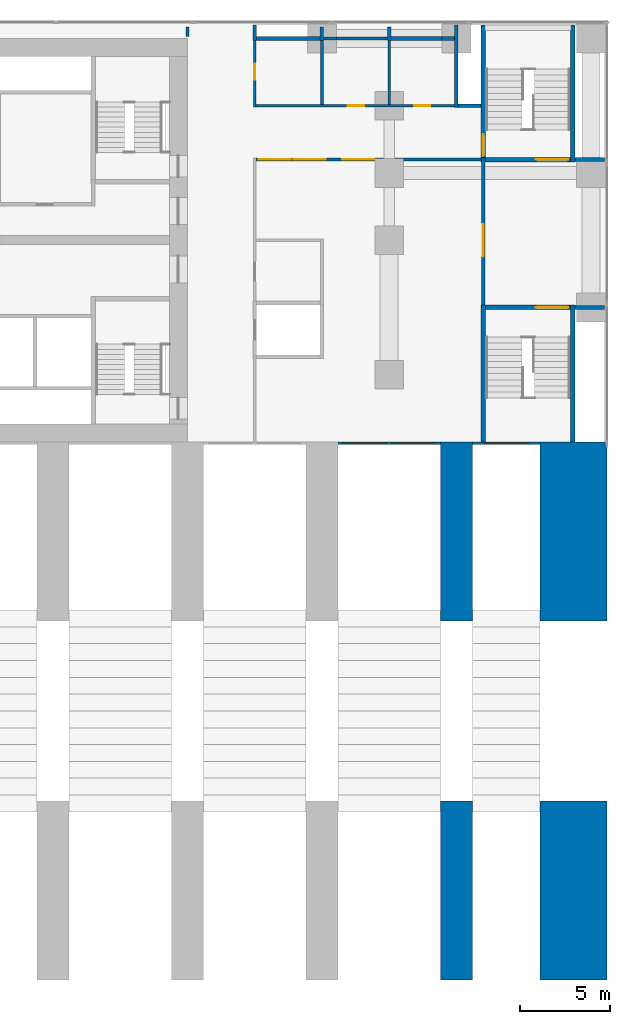
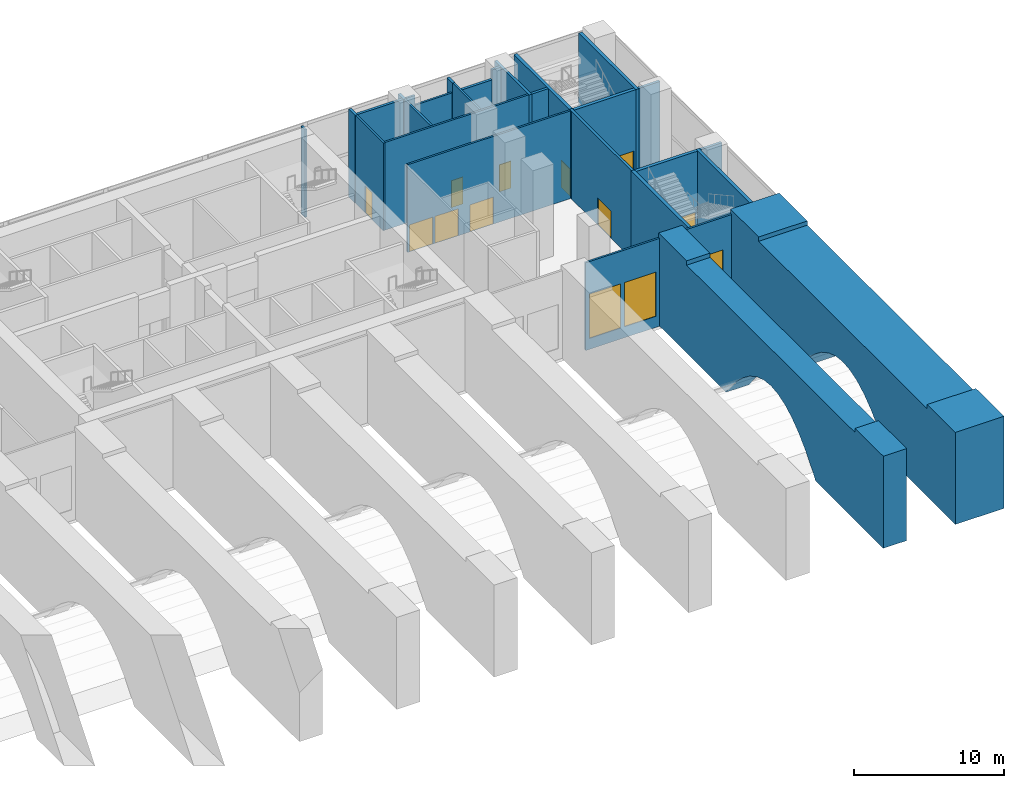
# One storey, part 8 of 15: 29 walls, 10 doors, 3 windows, 13 openings.
"""IFC4 building model written with IfcOpenShell, lengths in metres."""

import ifcopenshell
import ifcopenshell.guid

model = None  # the IFC model being written
_history = None  # IfcOwnerHistory: only IFC2X3 demands one
_inside = {}  # id of a spatial element -> (the spatial element, [elements in it])
_under = {}  # id of a project, library or spatial element -> (it, [spatial elements below it])
_declared = {}  # id of a project -> (the project, [libraries it declares])
_typed = {}  # id of a type object -> (the type object, [elements of that type])
_made_of = {}  # id of a material, layer set ... -> (it, [elements and type objects made of it])


def new_model(schema):
    """Start an empty IFC model of exactly this schema.

    Asked for "IFC4X3", IfcOpenShell would pick the latest addendum, in which some entities
    have other attributes; the version numbers below select the first issue.
    IFC2X3 requires an IfcOwnerHistory on every rooted entity: one is made here for all.
    """
    global model, _history
    if schema == "IFC4X3":
        model = ifcopenshell.file(schema_version=(4, 3, 0, 0))
    else:
        model = ifcopenshell.file(schema=schema)
    _inside.clear()
    _under.clear()
    _declared.clear()
    _typed.clear()
    _made_of.clear()
    _history = None
    if model.schema == "IFC2X3":
        org = make("IfcOrganization", Name="unknown")
        user = make(
            "IfcPersonAndOrganization",
            ThePerson=make("IfcPerson", FamilyName="unknown"),
            TheOrganization=org,
        )
        app = make(
            "IfcApplication",
            ApplicationDeveloper=org,
            Version="unknown",
            ApplicationFullName="unknown",
            ApplicationIdentifier="unknown",
        )
        _history = make(
            "IfcOwnerHistory",
            OwningUser=user,
            OwningApplication=app,
            ChangeAction="ADDED",
            CreationDate=0,
        )
    return model


def make(cls, **values):
    """One entity of the class cls with the attributes given. An attribute that is None is left unset."""
    return model.create_entity(
        cls, **{name: value for name, value in values.items() if value is not None}
    )


def rooted(cls, **values):
    """An entity with a GlobalId (a new one), such as an element, a storey or a relation."""
    return make(cls, GlobalId=ifcopenshell.guid.new(), OwnerHistory=_history, **values)


def si_unit(unit_type, name, prefix=None):
    """IfcSIUnit, for example si_unit("LENGTHUNIT", "METRE", prefix="MILLI")."""
    return make("IfcSIUnit", UnitType=unit_type, Prefix=prefix, Name=name)


def assignment(units):
    """IfcUnitAssignment: the units of a project."""
    return None if units is None else make("IfcUnitAssignment", Units=units)


def point(xyz):
    """IfcCartesianPoint."""
    return None if xyz is None else make("IfcCartesianPoint", Coordinates=xyz)


def direction(xyz):
    """IfcDirection."""
    return None if xyz is None else make("IfcDirection", DirectionRatios=xyz)


def frame(location, z_axis=None, x_axis=None):
    """IfcAxis2Placement3D, a coordinate frame: its origin and axes. An axis left out is left unset."""
    return make(
        "IfcAxis2Placement3D",
        Location=point(location),
        Axis=direction(z_axis),
        RefDirection=direction(x_axis),
    )


def frame_2d(location, x_axis=None):
    """IfcAxis2Placement2D, a coordinate frame in the plane: its origin and x axis."""
    return make(
        "IfcAxis2Placement2D", Location=point(location), RefDirection=direction(x_axis)
    )


def origin():
    """The frame at (0, 0, 0) with its axes left unset."""
    return frame((0.0, 0.0, 0.0))


def place(relative_to, where):
    """IfcLocalPlacement: puts the frame where relative to a parent placement (None: the world)."""
    return make(
        "IfcLocalPlacement", PlacementRelTo=relative_to, RelativePlacement=where
    )


def context(
    kind, dimensions, precision=None, world=None, true_north=None, identifier=None
):
    """IfcGeometricRepresentationContext, for example the 3D "Model" context."""
    return make(
        "IfcGeometricRepresentationContext",
        ContextIdentifier=identifier,
        ContextType=kind,
        CoordinateSpaceDimension=dimensions,
        Precision=precision,
        WorldCoordinateSystem=world,
        TrueNorth=true_north,
    )


def subcontext(parent, identifier, kind, view, scale=None):
    """IfcGeometricRepresentationSubContext, for example "Body" below "Model"."""
    return make(
        "IfcGeometricRepresentationSubContext",
        ContextIdentifier=identifier,
        ContextType=kind,
        ParentContext=parent,
        TargetScale=scale,
        TargetView=view,
    )


def project(units=None, contexts=None):
    """IfcProject with its units and contexts."""
    return rooted(
        "IfcProject",
        Name="project",
        RepresentationContexts=contexts,
        UnitsInContext=assignment(units),
    )


def spatial(cls, under=None, at=None, **own):
    """A site, building, storey or space (cls), placed at a placement, below another one or the project."""
    s = rooted(cls, ObjectPlacement=at, **own)
    if under is not None:
        _under.setdefault(under.id(), (under, []))[1].append(s)
    return s


def polyline(points):
    """IfcPolyline through the points."""
    return make("IfcPolyline", Points=[point(p) for p in points])


def profile(cls, at=None, kind="AREA", **sizes):
    """A parametric profile (cls). Its sizes go by their IFC names, for example OverallWidth=200.0."""
    return make(cls, ProfileType=kind, Position=at, **sizes)


def rectangle(**sizes):
    """IfcRectangleProfileDef."""
    return profile("IfcRectangleProfileDef", **sizes)


def outline(outer, holes=None, kind="AREA"):
    """IfcArbitraryClosedProfileDef: a profile drawn as a closed curve; with holes, ...WithVoids."""
    if holes is None:
        return make("IfcArbitraryClosedProfileDef", ProfileType=kind, OuterCurve=outer)
    return make(
        "IfcArbitraryProfileDefWithVoids",
        ProfileType=kind,
        OuterCurve=outer,
        InnerCurves=holes,
    )


def extrude(swept, where, along, depth):
    """IfcExtrudedAreaSolid: the profile swept, set in the frame where, extruded along a direction by depth."""
    return make(
        "IfcExtrudedAreaSolid",
        SweptArea=swept,
        Position=where,
        ExtrudedDirection=direction(along),
        Depth=depth,
    )


def shape(context_of_items, identifier, shape_type, items):
    """IfcShapeRepresentation: the items that make up one representation, for example the "Body"."""
    return make(
        "IfcShapeRepresentation",
        ContextOfItems=context_of_items,
        RepresentationIdentifier=identifier,
        RepresentationType=shape_type,
        Items=items,
    )


def material(Name=None, Category=None):
    """IfcMaterial."""
    return make("IfcMaterial", Name=Name, Category=Category)


def layer(
    of_material, thickness, ventilated=None, Name=None, Category=None, Priority=None
):
    """IfcMaterialLayer: one layer of a wall or slab, of a material (None: an air gap)."""
    return make(
        "IfcMaterialLayer",
        Material=of_material,
        LayerThickness=thickness,
        IsVentilated=ventilated,
        Name=Name,
        Category=Category,
        Priority=Priority,
    )


def layer_set(layers, Name=None):
    """IfcMaterialLayerSet."""
    return make("IfcMaterialLayerSet", MaterialLayers=layers, LayerSetName=Name)


def made_of(thing, what):
    """Note that an element or type object is made of a material, layer set ...; save() writes the relation."""
    if what is not None:
        _made_of.setdefault(what.id(), (what, []))[1].append(thing)
    return thing


def type_object(cls, material=None, **own):
    """A type object (cls), such as IfcWallType, which elements share."""
    return made_of(rooted(cls, **own), material)


def element(
    cls,
    number,
    at=None,
    inside=None,
    cuts=None,
    type_object=None,
    material=None,
    context=None,
    identifier="Body",
    shape_type=None,
    held_by="IfcProductDefinitionShape",
    body=None,
    shapes=None,
    **own,
):
    """One element of the class cls, such as IfcWall. Its Tag is "e" and its number.

    at: its placement. inside: the storey or other place that contains it. cuts: it is an
    opening in that element (IfcRelVoidsElement). A single representation is given by context,
    identifier, shape_type and body (its items); several are given by shapes. held_by: the class
    of the entity that holds the representations. save() writes the other relations.
    """
    e = rooted(cls, Tag="e%d" % number, ObjectPlacement=at, **own)
    if body is not None:
        shapes = [shape(context, identifier, shape_type, body)]
    if shapes is not None:
        e.Representation = make(held_by, Representations=shapes)
    if inside is not None:
        _inside.setdefault(inside.id(), (inside, []))[1].append(e)
    if cuts is not None:
        rooted(
            "IfcRelVoidsElement", RelatingBuildingElement=cuts, RelatedOpeningElement=e
        )
    if type_object is not None:
        _typed.setdefault(type_object.id(), (type_object, []))[1].append(e)
    return made_of(e, material)


def fill(opening, filler):
    """IfcRelFillsElement: the door or window that sits in an opening."""
    return rooted(
        "IfcRelFillsElement",
        RelatingOpeningElement=opening,
        RelatedBuildingElement=filler,
    )


def aggregate(whole, parts):
    """IfcRelAggregates: a whole, such as a stair, and the parts it consists of."""
    return rooted("IfcRelAggregates", RelatingObject=whole, RelatedObjects=parts)


def save(model, path):
    """Write the relations noted so far, then the file.

    IfcRelAggregates (storeys below a building ...), IfcRelContainedInSpatialStructure (elements
    in a storey), IfcRelDefinesByType, IfcRelAssociatesMaterial and IfcRelDeclares: one each for
    every whole, place, type object, material and project.
    """
    for whole, parts in _under.values():
        aggregate(whole, parts)
    for where, things in _inside.values():
        rooted(
            "IfcRelContainedInSpatialStructure",
            RelatedElements=things,
            RelatingStructure=where,
        )
    for kind, things in _typed.values():
        rooted("IfcRelDefinesByType", RelatedObjects=things, RelatingType=kind)
    for what, things in _made_of.values():
        rooted("IfcRelAssociatesMaterial", RelatedObjects=things, RelatingMaterial=what)
    for by, libraries in _declared.values():
        rooted("IfcRelDeclares", RelatingContext=by, RelatedDefinitions=libraries)
    model.write(path)


model = new_model("IFC4")

# Units and contexts
model_context = context("Model", 3, precision=1e-05, world=origin(), true_north=direction((0.0, 1.0)))
body_context = subcontext(model_context, "Body", "Model", "MODEL_VIEW")
ifc_project = project(units=[si_unit("LENGTHUNIT", "METRE"), si_unit("AREAUNIT", "SQUARE_METRE"), si_unit("VOLUMEUNIT", "CUBIC_METRE"), si_unit("PLANEANGLEUNIT", "RADIAN"), si_unit("MASSUNIT", "GRAM", prefix="KILO")], contexts=[model_context])

# Site, building, storey
site_placement = place(None, origin())
site = spatial("IfcSite", under=ifc_project, at=site_placement, CompositionType="ELEMENT")
building_placement = place(site_placement, origin())
building = spatial("IfcBuilding", under=site, at=building_placement, Name="Pilkhan Gate Tower", CompositionType="ELEMENT")
storey_placement = place(building_placement, frame((0.0, 0.0, 16.5)))
storey = spatial("IfcBuildingStorey", under=building, at=storey_placement, Name="L02", CompositionType="ELEMENT", Elevation=16.5)

# Walls
ifc_material_1 = material(Name="Concrete C70/85", Category="concrete")
ifc_layer_1 = layer(ifc_material_1, 1.800048828125)
ifc_layer_set_1 = layer_set([ifc_layer_1], Name="Arch wall AW1800 C70/85")
wall_type_1 = type_object("IfcWallType", Name="Arch wall AW1800 C70/85", PredefinedType="SHEAR", material=ifc_layer_set_1)
wall_1_placement = place(storey_placement, frame((105.89990234375, 62.220458984375, 0.0), z_axis=(1.0, 0.0, 0.0), x_axis=(0.0, 1.0, 0.0)))
element("IfcWall", 1, at=wall_1_placement, inside=storey, type_object=wall_type_1, Name="Arch wall +30.00 L02-1", PredefinedType="SHEAR", context=body_context, shape_type="SweptSolid", body=[
    extrude(outline(polyline([(0.0, 0.0), (9.029541015625, 0.0), (9.029541015625, 7.5), (5.279541015625, 7.5), (5.279541015625, 7.14990234375), (-17.220458984375, 7.14990234375), (-17.220458984375, 7.5), (-20.970458984375, 7.5), (-20.970458984375, 0.0), (-11.94091796875, 0.0), (-11.595458984375, 0.487548828125), (-10.657958984375, 1.606689453125), (-9.720458984375, 2.522216796875), (-8.782958984375, 3.234375), (-7.845458984375, 3.7431640625), (-6.907958984375, 4.04833984375), (-5.970458984375, 4.14990234375), (-5.032958984375, 4.04833984375), (-4.095458984375, 3.7431640625), (-3.157958984375, 3.234375), (-2.220458984375, 2.522216796875), (-1.282958984375, 1.606689453125), (-0.345458984375, 0.487548828125), (0.0, 0.0)])), origin(), (0.0, 0.0, -1.0), 1.800048828125),
])
ifc_layer_2 = layer(ifc_material_1, 3.75)
ifc_layer_set_2 = layer_set([ifc_layer_2], Name="Arch wall AW3750 C70/85")
wall_type_2 = type_object("IfcWallType", Name="Arch wall AW3750 C70/85", PredefinedType="SHEAR", material=ifc_layer_set_2)
wall_2_placement = place(storey_placement, frame((113.39990234375, 62.220458984375, 0.0), z_axis=(1.0, 0.0, 0.0), x_axis=(0.0, 1.0, 0.0)))
element("IfcWall", 2, at=wall_2_placement, inside=storey, type_object=wall_type_2, Name="Arch wall +37.50 L02-1", PredefinedType="SHEAR", context=body_context, shape_type="SweptSolid", body=[
    extrude(outline(polyline([(0.0, 0.0), (9.029541015625, 0.0), (9.029541015625, 7.5), (5.279541015625, 7.5), (5.279541015625, 7.14990234375), (-17.220458984375, 7.14990234375), (-17.220458984375, 7.5), (-20.970458984375, 7.5), (-20.970458984375, 0.0), (-11.94091796875, 0.0), (-11.595458984375, 0.487548828125), (-10.657958984375, 1.606689453125), (-9.720458984375, 2.522216796875), (-8.782958984375, 3.234375), (-7.845458984375, 3.7431640625), (-6.907958984375, 4.04833984375), (-5.970458984375, 4.14990234375), (-5.032958984375, 4.04833984375), (-4.095458984375, 3.7431640625), (-3.157958984375, 3.234375), (-2.220458984375, 2.522216796875), (-1.282958984375, 1.606689453125), (-0.345458984375, 0.487548828125), (0.0, 0.0)])), origin(), (0.0, 0.0, -1.0), 3.75),
])

# Wall, openings, windows
ifc_material_2 = material(Name="Pale anodised aluminium, clear laminated glazing", Category="aluminium")
ifc_layer_3 = layer(ifc_material_2, 0.14990234375)
ifc_layer_set_3 = layer_set([ifc_layer_3], Name="Facade infill wall IW150")
wall_type_3 = type_object("IfcWallType", Name="Facade infill wall IW150", PredefinedType="SOLIDWALL", material=ifc_layer_set_3)
wall_3_placement = place(storey_placement, frame((98.39990234375, 71.175048828125, 0.0), z_axis=(0.0, 0.0, 1.0), x_axis=(1.0, 0.0, 0.0)))
wall_3 = element("IfcWall", 3, at=wall_3_placement, inside=storey, type_object=wall_type_3, Name="Shopfront wall L02", PredefinedType="SOLIDWALL", context=body_context, shape_type="SweptSolid", body=[
    extrude(rectangle(XDim=5.7001953125, YDim=0.14990234375, at=frame_2d((2.85009765625, 0.0))), origin(), (0.0, 0.0, 1.0), 7.14990234375),
])
opening_1_placement = place(wall_3_placement, frame((0.300048828125, 0.0, 0.89990234375)))
opening_1 = element("IfcOpeningElement", 4, at=opening_1_placement, cuts=wall_3, Name="Opening WS2", PredefinedType="OPENING", context=body_context, shape_type="SweptSolid", body=[
    extrude(rectangle(XDim=2.39990234375, YDim=3.60009765625, at=frame_2d((1.199951171875, 1.800048828125))), frame((0.0, 0.0849609375, 0.0), z_axis=(0.0, -1.0, 0.0), x_axis=(1.0, 0.0, 0.0)), (0.0, 0.0, 1.0), 0.169921875),
])
opening_2_placement = place(wall_3_placement, frame((3.0, 0.0, 0.89990234375)))
opening_2 = element("IfcOpeningElement", 5, at=opening_2_placement, cuts=wall_3, Name="Opening WS2", PredefinedType="OPENING", context=body_context, shape_type="SweptSolid", body=[
    extrude(rectangle(XDim=2.39990234375, YDim=3.60009765625, at=frame_2d((1.199951171875, 1.800048828125))), frame((0.0, 0.0849609375, 0.0), z_axis=(0.0, -1.0, 0.0), x_axis=(1.0, 0.0, 0.0)), (0.0, 0.0, 1.0), 0.169921875),
])
window_type = type_object("IfcWindowType", Name="Shopfront window WS2 2400x3600", PartitioningType="SINGLE_PANEL", PredefinedType="WINDOW", material=ifc_material_2)
window_1_placement = place(opening_1_placement, origin())
window_1 = element("IfcWindow", 6, at=window_1_placement, inside=storey, type_object=window_type, Name="Shopfront window L02", OverallHeight=3.60009765625, OverallWidth=2.39990234375, PartitioningType="SINGLE_PANEL", PredefinedType="WINDOW", context=body_context, shape_type="SweptSolid", body=[
    extrude(rectangle(XDim=2.39990234375, YDim=3.60009765625, at=frame_2d((1.199951171875, 1.800048828125))), frame((0.0, 0.030029296875, 0.0), z_axis=(0.0, -1.0, 0.0), x_axis=(1.0, 0.0, 0.0)), (0.0, 0.0, 1.0), 0.06005859375),
])
fill(opening_1, window_1)
window_2_placement = place(opening_2_placement, origin())
window_2 = element("IfcWindow", 7, at=window_2_placement, inside=storey, type_object=window_type, Name="Shopfront window L02", OverallHeight=3.60009765625, OverallWidth=2.39990234375, PartitioningType="SINGLE_PANEL", PredefinedType="WINDOW", context=body_context, shape_type="SweptSolid", body=[
    extrude(rectangle(XDim=2.39990234375, YDim=3.60009765625, at=frame_2d((1.199951171875, 1.800048828125))), frame((0.0, 0.030029296875, 0.0), z_axis=(0.0, -1.0, 0.0), x_axis=(1.0, 0.0, 0.0)), (0.0, 0.0, 1.0), 0.06005859375),
])
fill(opening_2, window_2)

# Wall, opening, window
wall_4_placement = place(storey_placement, frame((105.89990234375, 71.175048828125, 0.0), z_axis=(0.0, 0.0, 1.0), x_axis=(1.0, 0.0, 0.0)))
wall_4 = element("IfcWall", 8, at=wall_4_placement, inside=storey, type_object=wall_type_3, Name="Shopfront wall L02", PredefinedType="SOLIDWALL", context=body_context, shape_type="SweptSolid", body=[
    extrude(rectangle(XDim=3.75, YDim=0.14990234375, at=frame_2d((1.875, 0.0))), origin(), (0.0, 0.0, 1.0), 7.14990234375),
])
opening_3_placement = place(wall_4_placement, frame((0.675048828125, 0.0, 0.89990234375)))
opening_3 = element("IfcOpeningElement", 9, at=opening_3_placement, cuts=wall_4, Name="Opening WS2", PredefinedType="OPENING", context=body_context, shape_type="SweptSolid", body=[
    extrude(rectangle(XDim=2.39990234375, YDim=3.60009765625, at=frame_2d((1.199951171875, 1.800048828125))), frame((0.0, 0.0849609375, 0.0), z_axis=(0.0, -1.0, 0.0), x_axis=(1.0, 0.0, 0.0)), (0.0, 0.0, 1.0), 0.169921875),
])
window_3_placement = place(opening_3_placement, origin())
window_3 = element("IfcWindow", 10, at=window_3_placement, inside=storey, type_object=window_type, Name="Shopfront window L02", OverallHeight=3.60009765625, OverallWidth=2.39990234375, PartitioningType="SINGLE_PANEL", PredefinedType="WINDOW", context=body_context, shape_type="SweptSolid", body=[
    extrude(rectangle(XDim=2.39990234375, YDim=3.60009765625, at=frame_2d((1.199951171875, 1.800048828125))), frame((0.0, 0.030029296875, 0.0), z_axis=(0.0, -1.0, 0.0), x_axis=(1.0, 0.0, 0.0)), (0.0, 0.0, 1.0), 0.06005859375),
])
fill(opening_3, window_3)

# Walls
ifc_material_3 = material(Name="Dense blockwork", Category="masonry")
ifc_layer_4 = layer(ifc_material_3, 0.199951171875)
ifc_layer_set_4 = layer_set([ifc_layer_4], Name="Lobby wall LW200")
wall_type_4 = type_object("IfcWallType", Name="Lobby wall LW200", PredefinedType="PARTITIONING", material=ifc_layer_set_4)
for number, where, z_axis, x_axis, name in (
    (11, (111.625, 78.75, 0.0), (0.0, 0.0, 1.0), (1.0, 0.0, 0.0), "Partition L02"),
    (12, (111.625, 87.0, 0.0), (0.0, 0.0, 1.0), (1.0, 0.0, 0.0), "Partition L02"),
):
    element("IfcWall", number, at=place(storey_placement, frame(where, z_axis=z_axis, x_axis=x_axis)), inside=storey, type_object=wall_type_4, Name=name, PredefinedType="PARTITIONING", context=body_context, shape_type="SweptSolid", body=[
        extrude(rectangle(XDim=1.639892578125, YDim=0.199951171875, at=frame_2d((0.81982421875, 0.0))), origin(), (0.0, 0.0, 1.0), 7.14990234375),
    ])
wall_5_placement = place(storey_placement, frame((105.10009765625, 90.0, 0.0), z_axis=(0.0, 0.0, 1.0), x_axis=(1.0, 0.0, 0.0)))
element("IfcWall", 13, at=wall_5_placement, inside=storey, type_object=wall_type_4, Name="Partition L02", PredefinedType="PARTITIONING", context=body_context, shape_type="SweptSolid", body=[
    extrude(rectangle(XDim=1.27490234375, YDim=0.199951171875, at=frame_2d((0.637451171875, 0.0))), origin(), (0.0, 0.0, 1.0), 7.14990234375),
])
wall_6_placement = place(storey_placement, frame((93.85009765625, 93.75, 0.0), z_axis=(0.0, 0.0, 1.0), x_axis=(1.0, 0.0, 0.0)))
element("IfcWall", 14, at=wall_6_placement, inside=storey, type_object=wall_type_4, Name="Partition L02", PredefinedType="PARTITIONING", context=body_context, shape_type="SweptSolid", body=[
    extrude(rectangle(XDim=3.5498046875, YDim=0.199951171875, at=frame_2d((1.77490234375, 0.0))), origin(), (0.0, 0.0, 1.0), 7.14990234375),
])
wall_7_placement = place(storey_placement, frame((101.35009765625, 93.75, 0.0), z_axis=(0.0, 0.0, 1.0), x_axis=(1.0, 0.0, 0.0)))
element("IfcWall", 15, at=wall_7_placement, inside=storey, type_object=wall_type_4, Name="Partition L02", PredefinedType="PARTITIONING", context=body_context, shape_type="SweptSolid", body=[
    extrude(rectangle(XDim=2.850830078125, YDim=0.199951171875, at=frame_2d((1.42529296875, 0.0))), origin(), (0.0, 0.0, 1.0), 6.35009765625),
])
wall_8_placement = place(storey_placement, frame((104.200927734375, 93.75, 0.0), z_axis=(0.0, 0.0, 1.0), x_axis=(1.0, 0.0, 0.0)))
element("IfcWall", 16, at=wall_8_placement, inside=storey, type_object=wall_type_4, Name="Partition L02", PredefinedType="PARTITIONING", context=body_context, shape_type="SweptSolid", body=[
    extrude(rectangle(XDim=0.698974609375, YDim=0.199951171875, at=frame_2d((0.349609375, 0.0))), origin(), (0.0, 0.0, 1.0), 7.14990234375),
])
wall_9_placement = place(storey_placement, frame((93.75, 93.64990234375, 0.0), z_axis=(0.0, 0.0, 1.0), x_axis=(0.0, 1.0, 0.0)))
element("IfcWall", 17, at=wall_9_placement, inside=storey, type_object=wall_type_4, Name="Partition L02", PredefinedType="PARTITIONING", context=body_context, shape_type="SweptSolid", body=[
    extrude(rectangle(XDim=0.864990234375, YDim=0.199951171875, at=frame_2d((0.4326171875, 0.0))), origin(), (0.0, 0.0, 1.0), 7.14990234375),
])
for number, where, z_axis, x_axis, name in (
    (18, (97.5, 93.64990234375, 0.0), (0.0, 0.0, 1.0), (0.0, 1.0, 0.0), "Partition L02"),
    (19, (101.25, 93.64990234375, 0.0), (0.0, 0.0, 1.0), (0.0, 1.0, 0.0), "Partition L02"),
):
    element("IfcWall", number, at=place(storey_placement, frame(where, z_axis=z_axis, x_axis=x_axis)), inside=storey, type_object=wall_type_4, Name=name, PredefinedType="PARTITIONING", context=body_context, shape_type="SweptSolid", body=[
        extrude(rectangle(XDim=0.7451171875, YDim=0.199951171875, at=frame_2d((0.37255859375, 0.0))), origin(), (0.0, 0.0, 1.0), 7.14990234375),
    ])
wall_10_placement = place(storey_placement, frame((105.0, 89.89990234375, 0.0), z_axis=(0.0, 0.0, 1.0), x_axis=(0.0, 1.0, 0.0)))
element("IfcWall", 20, at=wall_10_placement, inside=storey, type_object=wall_type_4, Name="Partition L02", PredefinedType="PARTITIONING", context=body_context, shape_type="SweptSolid", body=[
    extrude(rectangle(XDim=4.614990234375, YDim=0.199951171875, at=frame_2d((2.3076171875, 0.0))), origin(), (0.0, 0.0, 1.0), 7.14990234375),
])

# Wall, opening, door
wall_11_placement = place(storey_placement, frame((106.5, 78.625, 0.0), z_axis=(0.0, 0.0, 1.0), x_axis=(0.0, 1.0, 0.0)))
wall_11 = element("IfcWall", 21, at=wall_11_placement, inside=storey, type_object=wall_type_4, Name="Partition L02", PredefinedType="PARTITIONING", context=body_context, shape_type="SweptSolid", body=[
    extrude(rectangle(XDim=8.5, YDim=0.199951171875, at=frame_2d((4.25, 0.0))), origin(), (0.0, 0.0, 1.0), 7.14990234375),
])
opening_4_placement = place(wall_11_placement, frame((2.97509765625, 0.0, 0.0)))
opening_4 = element("IfcOpeningElement", 22, at=opening_4_placement, cuts=wall_11, Name="Opening L02-17", PredefinedType="OPENING", context=body_context, shape_type="SweptSolid", body=[
    extrude(rectangle(XDim=1.800048828125, YDim=2.199951171875, at=frame_2d((0.89990234375, 1.10009765625))), frame((0.0, 0.10986328125, 0.0), z_axis=(0.0, -1.0, 0.0), x_axis=(1.0, 0.0, 0.0)), (0.0, 0.0, 1.0), 0.219970703125),
])
ifc_material_4 = material(Name="Timber glazed double door, 30 minute fire resisting", Category="wood")
door_type_1 = type_object("IfcDoorType", Name="Double door D04 1800x2200", OperationType="DOUBLE_DOOR_SINGLE_SWING", PredefinedType="DOOR", material=ifc_material_4)
door_1_placement = place(opening_4_placement, origin())
door_1 = element("IfcDoor", 23, at=door_1_placement, inside=storey, type_object=door_type_1, Name="Hall door", OperationType="DOUBLE_DOOR_SINGLE_SWING", OverallHeight=2.199951171875, OverallWidth=1.800048828125, PredefinedType="DOOR", context=body_context, shape_type="SweptSolid", body=[
    extrude(rectangle(XDim=1.800048828125, YDim=2.199951171875, at=frame_2d((0.89990234375, 1.10009765625))), frame((0.0, 0.02490234375, 0.0), z_axis=(0.0, -1.0, 0.0), x_axis=(1.0, 0.0, 0.0)), (0.0, 0.0, 1.0), 0.050048828125),
])
fill(opening_4, door_1)

# Wall, openings, doors
ifc_material_5 = material(Name="Blockwork partition, plastered both sides", Category="masonry")
ifc_layer_5 = layer(ifc_material_5, 0.14990234375)
ifc_layer_set_5 = layer_set([ifc_layer_5], Name="Partition PW150")
wall_type_5 = type_object("IfcWallType", Name="Partition PW150", PredefinedType="PARTITIONING", material=ifc_layer_set_5)
wall_12_placement = place(storey_placement, frame((93.824951171875, 87.0, 0.0), z_axis=(0.0, 0.0, 1.0), x_axis=(1.0, 0.0, 0.0)))
wall_12 = element("IfcWall", 24, at=wall_12_placement, inside=storey, type_object=wall_type_5, Name="Partition L02", PredefinedType="PARTITIONING", context=body_context, shape_type="SweptSolid", body=[
    extrude(rectangle(XDim=12.550048828125, YDim=0.14990234375, at=frame_2d((6.27490234375, 0.0))), origin(), (0.0, 0.0, 1.0), 7.14990234375),
])
opening_5_placement = place(wall_12_placement, frame((0.14990234375, 0.0, 0.0)))
opening_5 = element("IfcOpeningElement", 25, at=opening_5_placement, cuts=wall_12, Name="Opening L02-13", PredefinedType="OPENING", context=body_context, shape_type="SweptSolid", body=[
    extrude(rectangle(XDim=1.800048828125, YDim=2.199951171875, at=frame_2d((0.89990234375, 1.10009765625))), frame((0.0, 0.0849609375, 0.0), z_axis=(0.0, -1.0, 0.0), x_axis=(1.0, 0.0, 0.0)), (0.0, 0.0, 1.0), 0.169921875),
])
opening_6_placement = place(wall_12_placement, frame((2.10009765625, 0.0, 0.0)))
opening_6 = element("IfcOpeningElement", 26, at=opening_6_placement, cuts=wall_12, Name="Opening L02-14", PredefinedType="OPENING", context=body_context, shape_type="SweptSolid", body=[
    extrude(rectangle(XDim=1.800048828125, YDim=2.199951171875, at=frame_2d((0.89990234375, 1.10009765625))), frame((0.0, 0.0849609375, 0.0), z_axis=(0.0, -1.0, 0.0), x_axis=(1.0, 0.0, 0.0)), (0.0, 0.0, 1.0), 0.169921875),
])
opening_7_placement = place(wall_12_placement, frame((4.800048828125, 0.0, 0.0)))
opening_7 = element("IfcOpeningElement", 27, at=opening_7_placement, cuts=wall_12, Name="Opening L02-18", PredefinedType="OPENING", context=body_context, shape_type="SweptSolid", body=[
    extrude(rectangle(XDim=1.800048828125, YDim=2.199951171875, at=frame_2d((0.89990234375, 1.10009765625))), frame((0.0, 0.0849609375, 0.0), z_axis=(0.0, -1.0, 0.0), x_axis=(1.0, 0.0, 0.0)), (0.0, 0.0, 1.0), 0.169921875),
])
door_2_placement = place(opening_5_placement, origin())
door_2 = element("IfcDoor", 28, at=door_2_placement, inside=storey, type_object=door_type_1, Name="Hall door", OperationType="DOUBLE_DOOR_SINGLE_SWING", OverallHeight=2.199951171875, OverallWidth=1.800048828125, PredefinedType="DOOR", context=body_context, shape_type="SweptSolid", body=[
    extrude(rectangle(XDim=1.800048828125, YDim=2.199951171875, at=frame_2d((0.89990234375, 1.10009765625))), frame((0.0, 0.02490234375, 0.0), z_axis=(0.0, -1.0, 0.0), x_axis=(1.0, 0.0, 0.0)), (0.0, 0.0, 1.0), 0.050048828125),
])
fill(opening_5, door_2)
door_3_placement = place(opening_6_placement, origin())
door_3 = element("IfcDoor", 29, at=door_3_placement, inside=storey, type_object=door_type_1, Name="Hall door", OperationType="DOUBLE_DOOR_SINGLE_SWING", OverallHeight=2.199951171875, OverallWidth=1.800048828125, PredefinedType="DOOR", context=body_context, shape_type="SweptSolid", body=[
    extrude(rectangle(XDim=1.800048828125, YDim=2.199951171875, at=frame_2d((0.89990234375, 1.10009765625))), frame((0.0, 0.02490234375, 0.0), z_axis=(0.0, -1.0, 0.0), x_axis=(1.0, 0.0, 0.0)), (0.0, 0.0, 1.0), 0.050048828125),
])
fill(opening_6, door_3)
door_4_placement = place(opening_7_placement, origin())
door_4 = element("IfcDoor", 30, at=door_4_placement, inside=storey, type_object=door_type_1, Name="Hall door", OperationType="DOUBLE_DOOR_SINGLE_SWING", OverallHeight=2.199951171875, OverallWidth=1.800048828125, PredefinedType="DOOR", context=body_context, shape_type="SweptSolid", body=[
    extrude(rectangle(XDim=1.800048828125, YDim=2.199951171875, at=frame_2d((0.89990234375, 1.10009765625))), frame((0.0, 0.02490234375, 0.0), z_axis=(0.0, -1.0, 0.0), x_axis=(1.0, 0.0, 0.0)), (0.0, 0.0, 1.0), 0.050048828125),
])
fill(opening_7, door_4)

wall_13_placement = place(storey_placement, frame((93.824951171875, 90.0, 0.0), z_axis=(0.0, 0.0, 1.0), x_axis=(1.0, 0.0, 0.0)))
wall_13 = element("IfcWall", 31, at=wall_13_placement, inside=storey, type_object=wall_type_5, Name="Partition L02", PredefinedType="PARTITIONING", context=body_context, shape_type="SweptSolid", body=[
    extrude(rectangle(XDim=11.074951171875, YDim=0.14990234375, at=frame_2d((5.53759765625, 0.0))), origin(), (0.0, 0.0, 1.0), 7.14990234375),
])
opening_8_placement = place(wall_13_placement, frame((5.125, 0.0, 0.0)))
opening_8 = element("IfcOpeningElement", 32, at=opening_8_placement, cuts=wall_13, Name="Opening L02-30", PredefinedType="OPENING", context=body_context, shape_type="SweptSolid", body=[
    extrude(rectangle(XDim=0.89990234375, YDim=2.199951171875, at=frame_2d((0.449951171875, 1.10009765625))), frame((0.0, 0.0849609375, 0.0), z_axis=(0.0, -1.0, 0.0), x_axis=(1.0, 0.0, 0.0)), (0.0, 0.0, 1.0), 0.169921875),
])
opening_9_placement = place(wall_13_placement, frame((8.824951171875, 0.0, 0.0)))
opening_9 = element("IfcOpeningElement", 33, at=opening_9_placement, cuts=wall_13, Name="Opening L02-31", PredefinedType="OPENING", context=body_context, shape_type="SweptSolid", body=[
    extrude(rectangle(XDim=0.89990234375, YDim=2.199951171875, at=frame_2d((0.449951171875, 1.10009765625))), frame((0.0, 0.0849609375, 0.0), z_axis=(0.0, -1.0, 0.0), x_axis=(1.0, 0.0, 0.0)), (0.0, 0.0, 1.0), 0.169921875),
])
ifc_material_6 = material(Name="Timber flush door, 30 minute fire resisting", Category="wood")
door_type_2 = type_object("IfcDoorType", Name="Toilet door D06 900x2200", OperationType="SINGLE_SWING_LEFT", PredefinedType="DOOR", material=ifc_material_6)
door_5_placement = place(opening_8_placement, origin())
door_5 = element("IfcDoor", 34, at=door_5_placement, inside=storey, type_object=door_type_2, Name="Toilet door", OperationType="SINGLE_SWING_RIGHT", OverallHeight=2.199951171875, OverallWidth=0.89990234375, PredefinedType="DOOR", context=body_context, shape_type="SweptSolid", body=[
    extrude(rectangle(XDim=0.89990234375, YDim=2.199951171875, at=frame_2d((0.449951171875, 1.10009765625))), frame((0.0, 0.02490234375, 0.0), z_axis=(0.0, -1.0, 0.0), x_axis=(1.0, 0.0, 0.0)), (0.0, 0.0, 1.0), 0.050048828125),
])
fill(opening_8, door_5)
door_6_placement = place(opening_9_placement, origin())
door_6 = element("IfcDoor", 35, at=door_6_placement, inside=storey, type_object=door_type_2, Name="Toilet door", OperationType="SINGLE_SWING_LEFT", OverallHeight=2.199951171875, OverallWidth=0.89990234375, PredefinedType="DOOR", context=body_context, shape_type="SweptSolid", body=[
    extrude(rectangle(XDim=0.89990234375, YDim=2.199951171875, at=frame_2d((0.449951171875, 1.10009765625))), frame((0.0, 0.02490234375, 0.0), z_axis=(0.0, -1.0, 0.0), x_axis=(1.0, 0.0, 0.0)), (0.0, 0.0, 1.0), 0.050048828125),
])
fill(opening_9, door_6)

# Walls
wall_14_placement = place(storey_placement, frame((97.60009765625, 93.75, 0.0), z_axis=(0.0, 0.0, 1.0), x_axis=(1.0, 0.0, 0.0)))
element("IfcWall", 36, at=wall_14_placement, inside=storey, type_object=wall_type_5, Name="Partition L02", PredefinedType="PARTITIONING", context=body_context, shape_type="SweptSolid", body=[
    extrude(rectangle(XDim=0.699951171875, YDim=0.14990234375, at=frame_2d((0.35009765625, 0.0))), origin(), (0.0, 0.0, 1.0), 7.14990234375),
])
wall_15_placement = place(storey_placement, frame((98.300048828125, 93.75, 0.0), z_axis=(0.0, 0.0, 1.0), x_axis=(1.0, 0.0, 0.0)))
element("IfcWall", 37, at=wall_15_placement, inside=storey, type_object=wall_type_5, Name="Partition L02", PredefinedType="PARTITIONING", context=body_context, shape_type="SweptSolid", body=[
    extrude(rectangle(XDim=2.849853515625, YDim=0.14990234375, at=frame_2d((1.4248046875, 0.0))), origin(), (0.0, 0.0, 1.0), 6.35009765625),
])
wall_16_placement = place(storey_placement, frame((90.0, 93.8701171875, 0.0), z_axis=(0.0, 0.0, 1.0), x_axis=(0.0, 1.0, 0.0)))
element("IfcWall", 38, at=wall_16_placement, inside=storey, type_object=wall_type_5, Name="Partition L02", PredefinedType="PARTITIONING", context=body_context, shape_type="SweptSolid", body=[
    extrude(rectangle(XDim=0.52490234375, YDim=0.14990234375, at=frame_2d((0.262451171875, 0.0))), origin(), (0.0, 0.0, 1.0), 7.14990234375),
])

# Wall, opening, door
wall_17_placement = place(storey_placement, frame((93.75, 89.925048828125, 0.0), z_axis=(0.0, 0.0, 1.0), x_axis=(0.0, 1.0, 0.0)))
wall_17 = element("IfcWall", 39, at=wall_17_placement, inside=storey, type_object=wall_type_5, Name="Partition L02", PredefinedType="PARTITIONING", context=body_context, shape_type="SweptSolid", body=[
    extrude(rectangle(XDim=3.824951171875, YDim=0.14990234375, at=frame_2d((1.91259765625, 0.0))), origin(), (0.0, 0.0, 1.0), 7.14990234375),
])
opening_10_placement = place(wall_17_placement, frame((1.52490234375, 0.0, 0.0)))
opening_10 = element("IfcOpeningElement", 40, at=opening_10_placement, cuts=wall_17, Name="Opening L02-29", PredefinedType="OPENING", context=body_context, shape_type="SweptSolid", body=[
    extrude(rectangle(XDim=0.89990234375, YDim=2.199951171875, at=frame_2d((0.449951171875, 1.10009765625))), frame((0.0, 0.0849609375, 0.0), z_axis=(0.0, -1.0, 0.0), x_axis=(1.0, 0.0, 0.0)), (0.0, 0.0, 1.0), 0.169921875),
])
ifc_material_7 = material(Name="Timber flush door, 60 minute fire resisting, self-closing", Category="wood")
door_type_3 = type_object("IfcDoorType", Name="Store door D05 900x2200", OperationType="SINGLE_SWING_LEFT", PredefinedType="DOOR", material=ifc_material_7)
door_7_placement = place(opening_10_placement, origin())
door_7 = element("IfcDoor", 41, at=door_7_placement, inside=storey, type_object=door_type_3, Name="Store door", OperationType="SINGLE_SWING_LEFT", OverallHeight=2.199951171875, OverallWidth=0.89990234375, PredefinedType="DOOR", context=body_context, shape_type="SweptSolid", body=[
    extrude(rectangle(XDim=0.89990234375, YDim=2.199951171875, at=frame_2d((0.449951171875, 1.10009765625))), frame((0.0, 0.02490234375, 0.0), z_axis=(0.0, -1.0, 0.0), x_axis=(1.0, 0.0, 0.0)), (0.0, 0.0, 1.0), 0.050048828125),
])
fill(opening_10, door_7)

# Walls
for number, where, z_axis, x_axis, name in (
    (42, (97.5, 90.074951171875, 0.0), (0.0, 0.0, 1.0), (0.0, 1.0, 0.0), "Partition L02"),
    (43, (101.25, 90.074951171875, 0.0), (0.0, 0.0, 1.0), (0.0, 1.0, 0.0), "Partition L02"),
):
    element("IfcWall", number, at=place(storey_placement, frame(where, z_axis=z_axis, x_axis=x_axis)), inside=storey, type_object=wall_type_5, Name=name, PredefinedType="PARTITIONING", context=body_context, shape_type="SweptSolid", body=[
        extrude(rectangle(XDim=3.75, YDim=0.14990234375, at=frame_2d((1.875, 0.0))), origin(), (0.0, 0.0, 1.0), 7.14990234375),
    ])

# Wall, opening, door
ifc_material_8 = material(Name="Reinforced blockwork, 120 minute fire resisting", Category="masonry")
ifc_layer_6 = layer(ifc_material_8, 0.25)
ifc_layer_set_6 = layer_set([ifc_layer_6], Name="Stair enclosure wall SE250")
wall_type_6 = type_object("IfcWallType", Name="Stair enclosure wall SE250", PredefinedType="PARTITIONING", material=ifc_layer_set_6)
wall_18_placement = place(storey_placement, frame((106.625, 78.75, 0.0), z_axis=(0.0, 0.0, 1.0), x_axis=(1.0, 0.0, 0.0)))
wall_18 = element("IfcWall", 44, at=wall_18_placement, inside=storey, type_object=wall_type_6, Name="Partition L02", PredefinedType="PARTITIONING", context=body_context, shape_type="SweptSolid", body=[
    extrude(rectangle(XDim=4.75, YDim=0.25, at=frame_2d((2.375, 0.0))), origin(), (0.0, 0.0, 1.0), 7.14990234375),
])
opening_11_placement = place(wall_18_placement, frame((2.800048828125, 0.0, 0.0)))
opening_11 = element("IfcOpeningElement", 45, at=opening_11_placement, cuts=wall_18, Name="Opening L02-10", PredefinedType="OPENING", context=body_context, shape_type="SweptSolid", body=[
    extrude(rectangle(XDim=1.800048828125, YDim=2.199951171875, at=frame_2d((0.89990234375, 1.10009765625))), frame((0.0, 0.135009765625, 0.0), z_axis=(0.0, -1.0, 0.0), x_axis=(1.0, 0.0, 0.0)), (0.0, 0.0, 1.0), 0.27001953125),
])
ifc_material_9 = material(Name="Steel double door, 120 minute fire resisting, panic bar", Category="steel")
door_type_4 = type_object("IfcDoorType", Name="Stair door D14 1800x2200", OperationType="DOUBLE_DOOR_SINGLE_SWING", PredefinedType="DOOR", material=ifc_material_9)
door_8_placement = place(opening_11_placement, origin())
door_8 = element("IfcDoor", 46, at=door_8_placement, inside=storey, type_object=door_type_4, Name="Stair PS4 door", OperationType="DOUBLE_DOOR_SINGLE_SWING", OverallHeight=2.199951171875, OverallWidth=1.800048828125, PredefinedType="DOOR", context=body_context, shape_type="SweptSolid", body=[
    extrude(rectangle(XDim=1.800048828125, YDim=2.199951171875, at=frame_2d((0.89990234375, 1.10009765625))), frame((0.0, 0.02490234375, 0.0), z_axis=(0.0, -1.0, 0.0), x_axis=(1.0, 0.0, 0.0)), (0.0, 0.0, 1.0), 0.050048828125),
])
fill(opening_11, door_8)

wall_19_placement = place(storey_placement, frame((106.625, 87.0, 0.0), z_axis=(0.0, 0.0, 1.0), x_axis=(1.0, 0.0, 0.0)))
wall_19 = element("IfcWall", 47, at=wall_19_placement, inside=storey, type_object=wall_type_6, Name="Partition L02", PredefinedType="PARTITIONING", context=body_context, shape_type="SweptSolid", body=[
    extrude(rectangle(XDim=4.75, YDim=0.25, at=frame_2d((2.375, 0.0))), origin(), (0.0, 0.0, 1.0), 7.14990234375),
])
opening_12_placement = place(wall_19_placement, frame((2.800048828125, 0.0, 0.0)))
opening_12 = element("IfcOpeningElement", 48, at=opening_12_placement, cuts=wall_19, Name="Opening L02-08", PredefinedType="OPENING", context=body_context, shape_type="SweptSolid", body=[
    extrude(rectangle(XDim=1.800048828125, YDim=2.199951171875, at=frame_2d((0.89990234375, 1.10009765625))), frame((0.0, 0.135009765625, 0.0), z_axis=(0.0, -1.0, 0.0), x_axis=(1.0, 0.0, 0.0)), (0.0, 0.0, 1.0), 0.27001953125),
])
door_9_placement = place(opening_12_placement, origin())
door_9 = element("IfcDoor", 49, at=door_9_placement, inside=storey, type_object=door_type_4, Name="Stair PS2 door", OperationType="DOUBLE_DOOR_SINGLE_SWING", OverallHeight=2.199951171875, OverallWidth=1.800048828125, PredefinedType="DOOR", context=body_context, shape_type="SweptSolid", body=[
    extrude(rectangle(XDim=1.800048828125, YDim=2.199951171875, at=frame_2d((0.89990234375, 1.10009765625))), frame((0.0, 0.02490234375, 0.0), z_axis=(0.0, -1.0, 0.0), x_axis=(1.0, 0.0, 0.0)), (0.0, 0.0, 1.0), 0.050048828125),
])
fill(opening_12, door_9)

# Wall
wall_20_placement = place(storey_placement, frame((106.5, 71.25, 0.0), z_axis=(0.0, 0.0, 1.0), x_axis=(0.0, 1.0, 0.0)))
element("IfcWall", 50, at=wall_20_placement, inside=storey, type_object=wall_type_6, Name="Partition L02", PredefinedType="PARTITIONING", context=body_context, shape_type="SweptSolid", body=[
    extrude(rectangle(XDim=7.625, YDim=0.25, at=frame_2d((3.8125, 0.0))), origin(), (0.0, 0.0, 1.0), 7.14990234375),
])

# Wall, opening, door
wall_21_placement = place(storey_placement, frame((106.5, 86.875, 0.0), z_axis=(0.0, 0.0, 1.0), x_axis=(0.0, 1.0, 0.0)))
wall_21 = element("IfcWall", 51, at=wall_21_placement, inside=storey, type_object=wall_type_6, Name="Partition L02", PredefinedType="PARTITIONING", context=body_context, shape_type="SweptSolid", body=[
    extrude(rectangle(XDim=7.625, YDim=0.25, at=frame_2d((3.8125, 0.0))), origin(), (0.0, 0.0, 1.0), 7.14990234375),
])
opening_13_placement = place(wall_21_placement, frame((0.324951171875, 0.0, 0.0)))
opening_13 = element("IfcOpeningElement", 52, at=opening_13_placement, cuts=wall_21, Name="Opening L02-20", PredefinedType="OPENING", context=body_context, shape_type="SweptSolid", body=[
    extrude(rectangle(XDim=1.199951171875, YDim=2.199951171875, at=frame_2d((0.60009765625, 1.10009765625))), frame((0.0, 0.135009765625, 0.0), z_axis=(0.0, -1.0, 0.0), x_axis=(1.0, 0.0, 0.0)), (0.0, 0.0, 1.0), 0.27001953125),
])
ifc_material_10 = material(Name="Steel door, 120 minute fire resisting, panic bar", Category="steel")
door_type_5 = type_object("IfcDoorType", Name="Stair door D11 1200x2200", OperationType="SINGLE_SWING_LEFT", PredefinedType="DOOR", material=ifc_material_10)
door_10_placement = place(opening_13_placement, origin())
door_10 = element("IfcDoor", 53, at=door_10_placement, inside=storey, type_object=door_type_5, Name="Stair PS2 foyer door", OperationType="SINGLE_SWING_LEFT", OverallHeight=2.199951171875, OverallWidth=1.199951171875, PredefinedType="DOOR", context=body_context, shape_type="SweptSolid", body=[
    extrude(rectangle(XDim=1.199951171875, YDim=2.199951171875, at=frame_2d((0.60009765625, 1.10009765625))), frame((0.0, 0.02490234375, 0.0), z_axis=(0.0, -1.0, 0.0), x_axis=(1.0, 0.0, 0.0)), (0.0, 0.0, 1.0), 0.050048828125),
])
fill(opening_13, door_10)

# Walls
for number, where, z_axis, x_axis, name in (
    (54, (111.5, 71.25, 0.0), (0.0, 0.0, 1.0), (0.0, 1.0, 0.0), "Partition L02"),
    (55, (111.5, 86.875, 0.0), (0.0, 0.0, 1.0), (0.0, 1.0, 0.0), "Partition L02"),
):
    element("IfcWall", number, at=place(storey_placement, frame(where, z_axis=z_axis, x_axis=x_axis)), inside=storey, type_object=wall_type_6, Name=name, PredefinedType="PARTITIONING", context=body_context, shape_type="SweptSolid", body=[
        extrude(rectangle(XDim=7.625, YDim=0.25, at=frame_2d((3.8125, 0.0))), origin(), (0.0, 0.0, 1.0), 7.14990234375),
    ])

save(model, "model.ifc")
